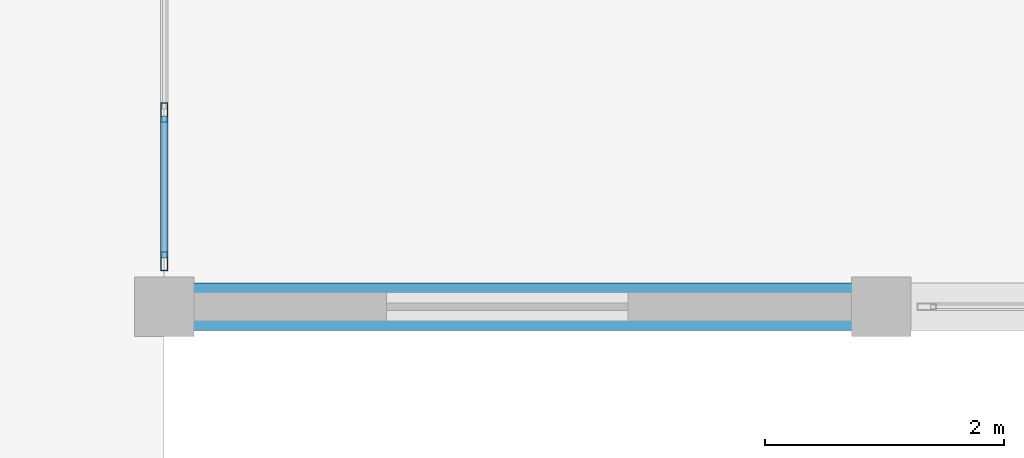
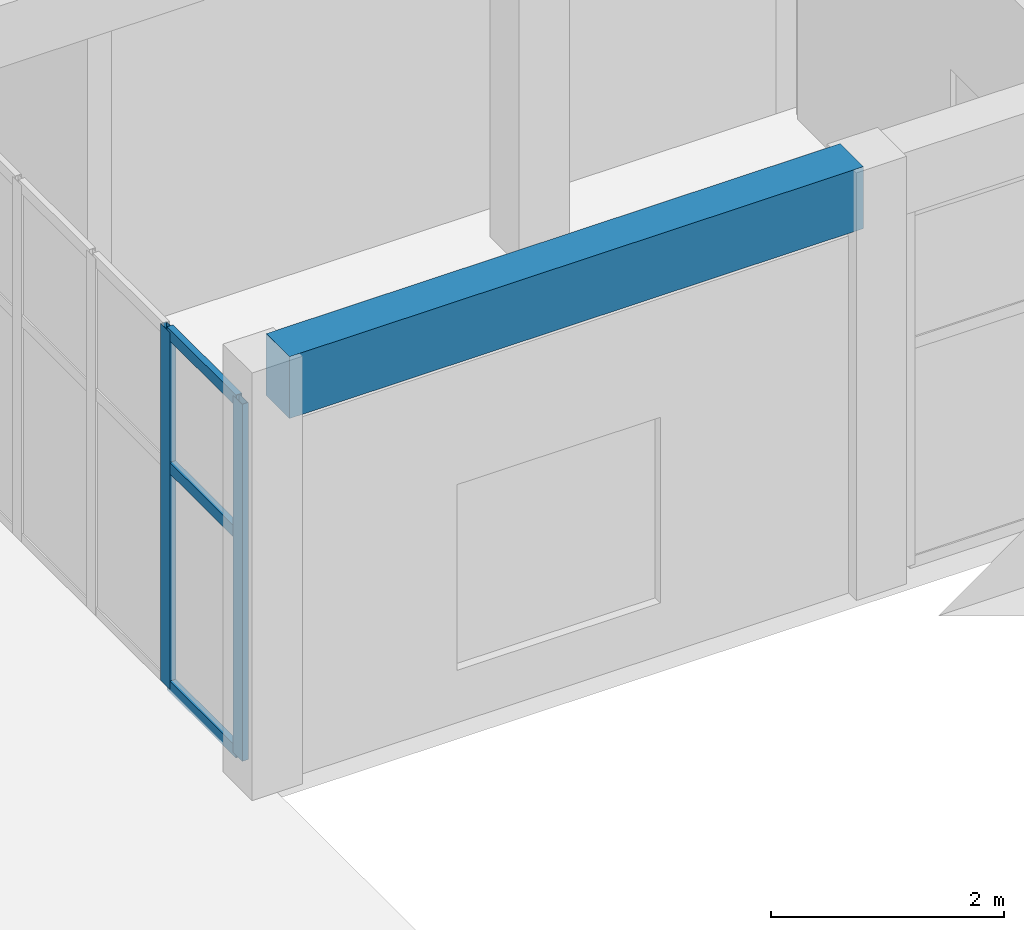
# One storey, part 11 of 132: 5 members, 1 beam, 1 element without a shape of its own.
"""IFC4 building model written with IfcOpenShell, lengths in metres."""

from ifc_helpers import new_model, si_unit, direction, frame, origin, origin_2d, place, context, subcontext, project, spatial, rectangle, hollow_rectangle, extrude, material, material_profile, profile_set, type_object, element, aggregate, save


model = new_model("IFC4")

# Units and contexts
model_context = context("Model", 3, precision=1e-05, world=origin(), true_north=direction((0.0, 1.0)))
body_context = subcontext(model_context, "Body", "Model", "MODEL_VIEW")
ifc_project = project(units=[si_unit("LENGTHUNIT", "METRE"), si_unit("AREAUNIT", "SQUARE_METRE"), si_unit("VOLUMEUNIT", "CUBIC_METRE"), si_unit("PLANEANGLEUNIT", "RADIAN"), si_unit("MASSUNIT", "GRAM", prefix="KILO")], contexts=[model_context])

# Site, building, storey
site_placement = place(None, origin())
site = spatial("IfcSite", under=ifc_project, at=site_placement, CompositionType="ELEMENT")
building_placement = place(site_placement, origin())
building = spatial("IfcBuilding", under=site, at=building_placement, Name="Tanwirah Colonnade Gardens", CompositionType="ELEMENT")
storey_placement = place(building_placement, origin())
storey = spatial("IfcBuildingStorey", under=building, at=storey_placement, Name="L00", CompositionType="ELEMENT", Elevation=0.0)

# Beam
ifc_material_1 = material(Name="Precast concrete C45/55", Category="concrete")
ifc_material_profile_1 = material_profile(ifc_material_1, rectangle(XDim=0.39990234375, YDim=0.64990234375, at=origin_2d()), Name="PC-BM 400x650")
ifc_profile_set_1 = profile_set([ifc_material_profile_1], Name="Precast concrete C45/55")
beam_type = type_object("IfcBeamType", Name="BM-PC400", PredefinedType="BEAM", material=ifc_profile_set_1)
beam_placement = place(storey_placement, frame((66.14990234375, 16.60009765625, 4.1650390625), z_axis=(1.0, 0.0, 0.0), x_axis=(0.0, 1.0, 0.0)))
element("IfcBeam", 1, at=beam_placement, inside=storey, type_object=beam_type, Name="Boulevard Shops W L00 Beam 0.1", PredefinedType="BEAM", context=body_context, shape_type="SweptSolid", body=[
    extrude(rectangle(XDim=0.39990234375, YDim=0.64990234375, at=origin_2d()), origin(), (0.0, 0.0, 1.0), 5.7001953125),
])

# Curtain wall, members
ifc_material_2 = material(Name="Bronze-anodised aluminium and solar-control low-E glass", Category="aluminium")
curtain_wall_type = type_object("IfcCurtainWallType", Name="CW-SHP", PredefinedType="NOTDEFINED", material=ifc_material_2)
curtain_wall_placement = place(storey_placement, origin())
curtain_wall = element("IfcCurtainWall", 2, at=curtain_wall_placement, inside=storey, type_object=curtain_wall_type, Name="Curtain Wall CW-SHP-W-L00-W-1", PredefinedType="NOTDEFINED")
ifc_material_3 = material(Name="Bronze-anodised aluminium", Category="aluminium")
ifc_material_profile_2 = material_profile(ifc_material_3, hollow_rectangle(XDim=0.06005859375, YDim=0.159912109375, WallThickness=0.00390625, at=origin_2d()), Name="CW-MUL 60x160x4")
ifc_profile_set_2 = profile_set([ifc_material_profile_2], Name="Bronze-anodised aluminium")
member_type_1 = type_object("IfcMemberType", Name="CWM-60x160", PredefinedType="MULLION", material=ifc_profile_set_2)
member_1_placement = place(storey_placement, frame((66.0, 16.97998046875, 0.0), z_axis=(0.0, 0.0, 1.0), x_axis=(-1.0, 0.0, 0.0)))
member_1 = element("IfcMember", 3, at=member_1_placement, type_object=member_type_1, Name="CW-SHP mullion 1", PredefinedType="MULLION", context=body_context, shape_type="SweptSolid", body=[
    extrude(hollow_rectangle(XDim=0.06005859375, YDim=0.159912109375, WallThickness=0.00390625, at=origin_2d()), origin(), (0.0, 0.0, 1.0), 3.75),
])
member_2_placement = place(storey_placement, frame((66.0, 18.22509765625, 0.0), z_axis=(0.0, 0.0, 1.0), x_axis=(-1.0, 0.0, 0.0)))
member_2 = element("IfcMember", 4, at=member_2_placement, type_object=member_type_1, Name="CW-SHP mullion 2", PredefinedType="MULLION", context=body_context, shape_type="SweptSolid", body=[
    extrude(hollow_rectangle(XDim=0.06005859375, YDim=0.159912109375, WallThickness=0.00390625, at=origin_2d()), origin(), (0.0, 0.0, 1.0), 3.75),
])
ifc_material_profile_3 = material_profile(ifc_material_3, hollow_rectangle(XDim=0.06005859375, YDim=0.1201171875, WallThickness=0.00390625, at=origin_2d()), Name="CW-TRN 60x120x4")
ifc_profile_set_3 = profile_set([ifc_material_profile_3], Name="Bronze-anodised aluminium")
member_type_2 = type_object("IfcMemberType", Name="CWT-60x120", PredefinedType="USERDEFINED", material=ifc_profile_set_3)
member_3_placement = place(storey_placement, frame((66.0, 17.010009765625, 0.030029296875), z_axis=(0.0, 1.0, 0.0), x_axis=(-1.0, 0.0, 0.0)))
member_3 = element("IfcMember", 5, at=member_3_placement, type_object=member_type_2, Name="CW-SHP transom 1.1", ObjectType="TRANSOM", PredefinedType="USERDEFINED", context=body_context, shape_type="SweptSolid", body=[
    extrude(hollow_rectangle(XDim=0.06005859375, YDim=0.1201171875, WallThickness=0.00390625, at=origin_2d()), origin(), (0.0, 0.0, 1.0), 1.18505859375),
])
member_4_placement = place(storey_placement, frame((66.0, 17.010009765625, 2.324951171875), z_axis=(0.0, 1.0, 0.0), x_axis=(-1.0, 0.0, 0.0)))
member_4 = element("IfcMember", 6, at=member_4_placement, type_object=member_type_2, Name="CW-SHP transom 1.2", ObjectType="TRANSOM", PredefinedType="USERDEFINED", context=body_context, shape_type="SweptSolid", body=[
    extrude(hollow_rectangle(XDim=0.06005859375, YDim=0.1201171875, WallThickness=0.00390625, at=origin_2d()), origin(), (0.0, 0.0, 1.0), 1.18505859375),
])
member_5_placement = place(storey_placement, frame((66.0, 17.010009765625, 3.719970703125), z_axis=(0.0, 1.0, 0.0), x_axis=(-1.0, 0.0, 0.0)))
member_5 = element("IfcMember", 7, at=member_5_placement, type_object=member_type_2, Name="CW-SHP transom 1.3", ObjectType="TRANSOM", PredefinedType="USERDEFINED", context=body_context, shape_type="SweptSolid", body=[
    extrude(hollow_rectangle(XDim=0.06005859375, YDim=0.1201171875, WallThickness=0.00390625, at=origin_2d()), origin(), (0.0, 0.0, 1.0), 1.18505859375),
])
aggregate(curtain_wall, [member_1, member_2, member_3, member_4, member_5])

save(model, "model.ifc")
